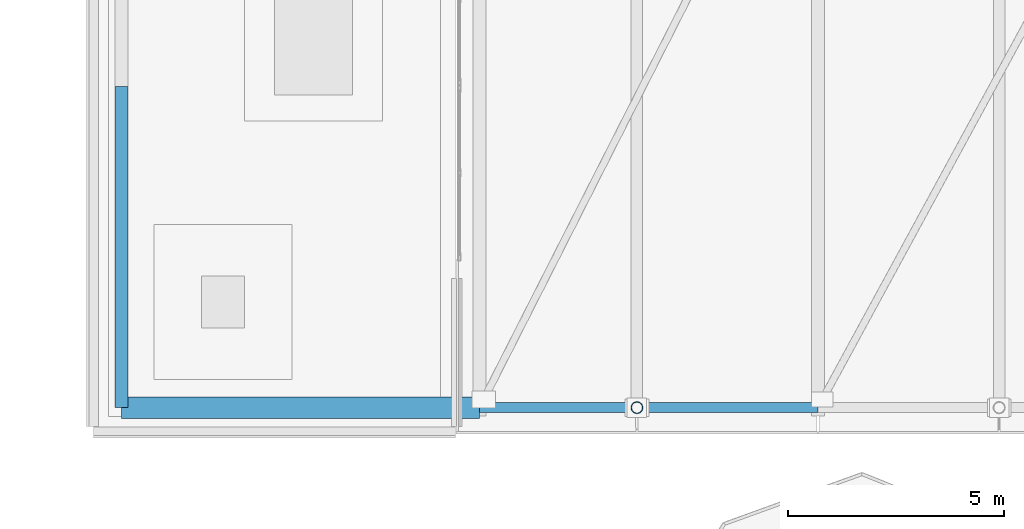
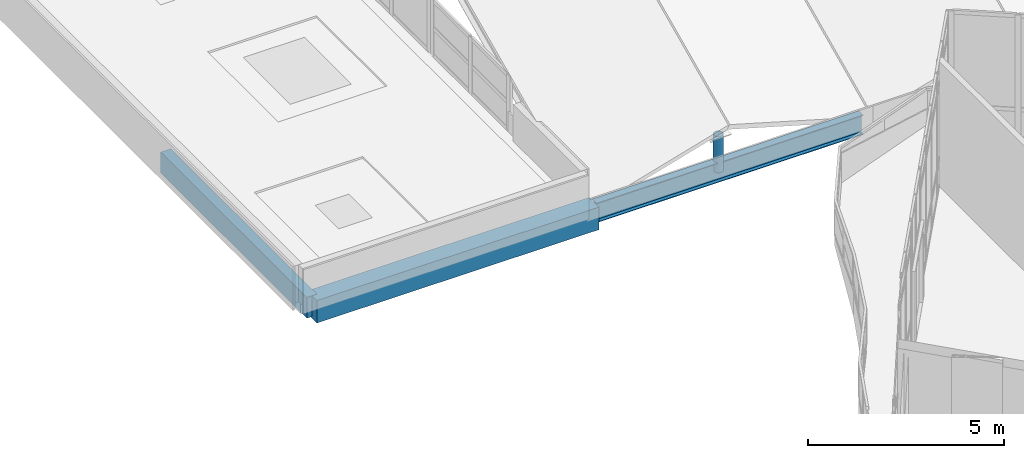
# One storey, part 25 of 184: 3 beams, 1 member.
"""IFC4 building model written with IfcOpenShell, lengths in metres."""

import ifcopenshell
import ifcopenshell.guid

model = None  # the IFC model being written
_history = None  # IfcOwnerHistory: only IFC2X3 demands one
_inside = {}  # id of a spatial element -> (the spatial element, [elements in it])
_under = {}  # id of a project, library or spatial element -> (it, [spatial elements below it])
_declared = {}  # id of a project -> (the project, [libraries it declares])
_typed = {}  # id of a type object -> (the type object, [elements of that type])
_made_of = {}  # id of a material, layer set ... -> (it, [elements and type objects made of it])


def new_model(schema):
    """Start an empty IFC model of exactly this schema.

    Asked for "IFC4X3", IfcOpenShell would pick the latest addendum, in which some entities
    have other attributes; the version numbers below select the first issue.
    IFC2X3 requires an IfcOwnerHistory on every rooted entity: one is made here for all.
    """
    global model, _history
    if schema == "IFC4X3":
        model = ifcopenshell.file(schema_version=(4, 3, 0, 0))
    else:
        model = ifcopenshell.file(schema=schema)
    _inside.clear()
    _under.clear()
    _declared.clear()
    _typed.clear()
    _made_of.clear()
    _history = None
    if model.schema == "IFC2X3":
        org = make("IfcOrganization", Name="unknown")
        user = make(
            "IfcPersonAndOrganization",
            ThePerson=make("IfcPerson", FamilyName="unknown"),
            TheOrganization=org,
        )
        app = make(
            "IfcApplication",
            ApplicationDeveloper=org,
            Version="unknown",
            ApplicationFullName="unknown",
            ApplicationIdentifier="unknown",
        )
        _history = make(
            "IfcOwnerHistory",
            OwningUser=user,
            OwningApplication=app,
            ChangeAction="ADDED",
            CreationDate=0,
        )
    return model


def make(cls, **values):
    """One entity of the class cls with the attributes given. An attribute that is None is left unset."""
    return model.create_entity(
        cls, **{name: value for name, value in values.items() if value is not None}
    )


def rooted(cls, **values):
    """An entity with a GlobalId (a new one), such as an element, a storey or a relation."""
    return make(cls, GlobalId=ifcopenshell.guid.new(), OwnerHistory=_history, **values)


def si_unit(unit_type, name, prefix=None):
    """IfcSIUnit, for example si_unit("LENGTHUNIT", "METRE", prefix="MILLI")."""
    return make("IfcSIUnit", UnitType=unit_type, Prefix=prefix, Name=name)


def assignment(units):
    """IfcUnitAssignment: the units of a project."""
    return None if units is None else make("IfcUnitAssignment", Units=units)


def point(xyz):
    """IfcCartesianPoint."""
    return None if xyz is None else make("IfcCartesianPoint", Coordinates=xyz)


def direction(xyz):
    """IfcDirection."""
    return None if xyz is None else make("IfcDirection", DirectionRatios=xyz)


def frame(location, z_axis=None, x_axis=None):
    """IfcAxis2Placement3D, a coordinate frame: its origin and axes. An axis left out is left unset."""
    return make(
        "IfcAxis2Placement3D",
        Location=point(location),
        Axis=direction(z_axis),
        RefDirection=direction(x_axis),
    )


def frame_2d(location, x_axis=None):
    """IfcAxis2Placement2D, a coordinate frame in the plane: its origin and x axis."""
    return make(
        "IfcAxis2Placement2D", Location=point(location), RefDirection=direction(x_axis)
    )


def origin():
    """The frame at (0, 0, 0) with its axes left unset."""
    return frame((0.0, 0.0, 0.0))


def origin_2d():
    """The frame at (0, 0) in the plane with its x axis left unset."""
    return frame_2d((0.0, 0.0))


def place(relative_to, where):
    """IfcLocalPlacement: puts the frame where relative to a parent placement (None: the world)."""
    return make(
        "IfcLocalPlacement", PlacementRelTo=relative_to, RelativePlacement=where
    )


def context(
    kind, dimensions, precision=None, world=None, true_north=None, identifier=None
):
    """IfcGeometricRepresentationContext, for example the 3D "Model" context."""
    return make(
        "IfcGeometricRepresentationContext",
        ContextIdentifier=identifier,
        ContextType=kind,
        CoordinateSpaceDimension=dimensions,
        Precision=precision,
        WorldCoordinateSystem=world,
        TrueNorth=true_north,
    )


def subcontext(parent, identifier, kind, view, scale=None):
    """IfcGeometricRepresentationSubContext, for example "Body" below "Model"."""
    return make(
        "IfcGeometricRepresentationSubContext",
        ContextIdentifier=identifier,
        ContextType=kind,
        ParentContext=parent,
        TargetScale=scale,
        TargetView=view,
    )


def project(units=None, contexts=None):
    """IfcProject with its units and contexts."""
    return rooted(
        "IfcProject",
        Name="project",
        RepresentationContexts=contexts,
        UnitsInContext=assignment(units),
    )


def spatial(cls, under=None, at=None, **own):
    """A site, building, storey or space (cls), placed at a placement, below another one or the project."""
    s = rooted(cls, ObjectPlacement=at, **own)
    if under is not None:
        _under.setdefault(under.id(), (under, []))[1].append(s)
    return s


def profile(cls, at=None, kind="AREA", **sizes):
    """A parametric profile (cls). Its sizes go by their IFC names, for example OverallWidth=200.0."""
    return make(cls, ProfileType=kind, Position=at, **sizes)


def rectangle(**sizes):
    """IfcRectangleProfileDef."""
    return profile("IfcRectangleProfileDef", **sizes)


def hollow_circle(**sizes):
    """IfcCircleHollowProfileDef."""
    return profile("IfcCircleHollowProfileDef", **sizes)


def i_section(**sizes):
    """IfcIShapeProfileDef."""
    return profile("IfcIShapeProfileDef", **sizes)


def extrude(swept, where, along, depth):
    """IfcExtrudedAreaSolid: the profile swept, set in the frame where, extruded along a direction by depth."""
    return make(
        "IfcExtrudedAreaSolid",
        SweptArea=swept,
        Position=where,
        ExtrudedDirection=direction(along),
        Depth=depth,
    )


def shape(context_of_items, identifier, shape_type, items):
    """IfcShapeRepresentation: the items that make up one representation, for example the "Body"."""
    return make(
        "IfcShapeRepresentation",
        ContextOfItems=context_of_items,
        RepresentationIdentifier=identifier,
        RepresentationType=shape_type,
        Items=items,
    )


def material(Name=None, Category=None):
    """IfcMaterial."""
    return make("IfcMaterial", Name=Name, Category=Category)


def material_profile(
    of_material, cross_section, Name=None, Category=None, Priority=None
):
    """IfcMaterialProfile: a cross section and its material."""
    return make(
        "IfcMaterialProfile",
        Name=Name,
        Material=of_material,
        Profile=cross_section,
        Priority=Priority,
        Category=Category,
    )


def profile_set(profiles, Name=None, composite=None):
    """IfcMaterialProfileSet."""
    return make(
        "IfcMaterialProfileSet",
        Name=Name,
        MaterialProfiles=profiles,
        CompositeProfile=composite,
    )


def made_of(thing, what):
    """Note that an element or type object is made of a material, layer set ...; save() writes the relation."""
    if what is not None:
        _made_of.setdefault(what.id(), (what, []))[1].append(thing)
    return thing


def type_object(cls, material=None, **own):
    """A type object (cls), such as IfcWallType, which elements share."""
    return made_of(rooted(cls, **own), material)


def element(
    cls,
    number,
    at=None,
    inside=None,
    cuts=None,
    type_object=None,
    material=None,
    context=None,
    identifier="Body",
    shape_type=None,
    held_by="IfcProductDefinitionShape",
    body=None,
    shapes=None,
    **own,
):
    """One element of the class cls, such as IfcWall. Its Tag is "e" and its number.

    at: its placement. inside: the storey or other place that contains it. cuts: it is an
    opening in that element (IfcRelVoidsElement). A single representation is given by context,
    identifier, shape_type and body (its items); several are given by shapes. held_by: the class
    of the entity that holds the representations. save() writes the other relations.
    """
    e = rooted(cls, Tag="e%d" % number, ObjectPlacement=at, **own)
    if body is not None:
        shapes = [shape(context, identifier, shape_type, body)]
    if shapes is not None:
        e.Representation = make(held_by, Representations=shapes)
    if inside is not None:
        _inside.setdefault(inside.id(), (inside, []))[1].append(e)
    if cuts is not None:
        rooted(
            "IfcRelVoidsElement", RelatingBuildingElement=cuts, RelatedOpeningElement=e
        )
    if type_object is not None:
        _typed.setdefault(type_object.id(), (type_object, []))[1].append(e)
    return made_of(e, material)


def aggregate(whole, parts):
    """IfcRelAggregates: a whole, such as a stair, and the parts it consists of."""
    return rooted("IfcRelAggregates", RelatingObject=whole, RelatedObjects=parts)


def save(model, path):
    """Write the relations noted so far, then the file.

    IfcRelAggregates (storeys below a building ...), IfcRelContainedInSpatialStructure (elements
    in a storey), IfcRelDefinesByType, IfcRelAssociatesMaterial and IfcRelDeclares: one each for
    every whole, place, type object, material and project.
    """
    for whole, parts in _under.values():
        aggregate(whole, parts)
    for where, things in _inside.values():
        rooted(
            "IfcRelContainedInSpatialStructure",
            RelatedElements=things,
            RelatingStructure=where,
        )
    for kind, things in _typed.values():
        rooted("IfcRelDefinesByType", RelatedObjects=things, RelatingType=kind)
    for what, things in _made_of.values():
        rooted("IfcRelAssociatesMaterial", RelatedObjects=things, RelatingMaterial=what)
    for by, libraries in _declared.values():
        rooted("IfcRelDeclares", RelatingContext=by, RelatedDefinitions=libraries)
    model.write(path)


model = new_model("IFC4")

# Units and contexts
model_context = context("Model", 3, precision=1e-05, world=origin(), true_north=direction((0.0, 1.0)))
body_context = subcontext(model_context, "Body", "Model", "MODEL_VIEW")
ifc_project = project(units=[si_unit("LENGTHUNIT", "METRE"), si_unit("AREAUNIT", "SQUARE_METRE"), si_unit("VOLUMEUNIT", "CUBIC_METRE"), si_unit("PLANEANGLEUNIT", "RADIAN"), si_unit("MASSUNIT", "GRAM", prefix="KILO")], contexts=[model_context])

# Site, building, storey
site_placement = place(None, origin())
site = spatial("IfcSite", under=ifc_project, at=site_placement, CompositionType="ELEMENT")
building_placement = place(site_placement, origin())
building = spatial("IfcBuilding", under=site, at=building_placement, Name="Selatvlak General Hospital", CompositionType="ELEMENT")
storey_placement = place(building_placement, frame((0.0, 0.0, 15.0)))
storey = spatial("IfcBuildingStorey", under=building, at=storey_placement, Name="L03", CompositionType="ELEMENT", Elevation=15.0)

# Beams
ifc_material_1 = material(Name="Concrete C40/50", Category="concrete")
ifc_material_profile_1 = material_profile(ifc_material_1, rectangle(XDim=0.5, YDim=0.699951171875, at=origin_2d()), Name="RC-BM 500x700")
ifc_profile_set_1 = profile_set([ifc_material_profile_1], Name="Concrete C40/50")
beam_type_1 = type_object("IfcBeamType", Name="BM-G03", PredefinedType="BEAM", material=ifc_profile_set_1)
beam_1_placement = place(storey_placement, frame((15.050048828125, 52.550048828125, -0.610107421875), z_axis=(1.0, 0.0, 0.0), x_axis=(0.0, 1.0, 0.0)))
element("IfcBeam", 1, at=beam_1_placement, inside=storey, type_object=beam_type_1, Name="Beam BMR-L03-2909", PredefinedType="BEAM", context=body_context, shape_type="SweptSolid", body=[
    extrude(rectangle(XDim=0.5, YDim=0.699951171875, at=origin_2d()), origin(), (0.0, 0.0, 1.0), 8.300048828125),
])
ifc_material_2 = material(Name="Steel S355", Category="steel")
ifc_material_profile_2 = material_profile(ifc_material_2, i_section(OverallWidth=0.228271484375, OverallDepth=0.607666015625, WebThickness=0.010986328125, FlangeThickness=0.017333984375, at=origin_2d()), Name="UB 610x229x113")
ifc_profile_set_2 = profile_set([ifc_material_profile_2], Name="Steel S355")
beam_type_2 = type_object("IfcBeamType", Name="BM-RF4", PredefinedType="BEAM", material=ifc_profile_set_2)
beam_2_placement = place(storey_placement, frame((23.35009765625, 52.550048828125, -0.529052734375), z_axis=(1.0, 0.0, 0.0), x_axis=(0.0, 1.0, 0.0)))
element("IfcBeam", 2, at=beam_2_placement, inside=storey, type_object=beam_type_2, Name="Folded roof S valley girder 1", PredefinedType="BEAM", context=body_context, shape_type="SweptSolid", body=[
    extrude(i_section(OverallWidth=0.228271484375, OverallDepth=0.607666015625, WebThickness=0.010986328125, FlangeThickness=0.017333984375, at=origin_2d()), origin(), (0.0, 0.0, 1.0), 7.849853515625),
])
ifc_material_profile_3 = material_profile(ifc_material_1, rectangle(XDim=0.300048828125, YDim=0.64990234375, at=origin_2d()), Name="RC-SP 300x650")
ifc_profile_set_3 = profile_set([ifc_material_profile_3], Name="Concrete C40/50")
beam_type_3 = type_object("IfcBeamType", Name="BM-SP1", PredefinedType="SPANDREL", material=ifc_profile_set_3)
beam_3_placement = place(storey_placement, frame((15.050048828125, 52.550048828125, -0.5849609375), z_axis=(0.0, 1.0, 0.0), x_axis=(-1.0, 0.0, 0.0)))
element("IfcBeam", 3, at=beam_3_placement, inside=storey, type_object=beam_type_3, Name="Beam BMR-L03-1291", PredefinedType="SPANDREL", context=body_context, shape_type="SweptSolid", body=[
    extrude(rectangle(XDim=0.300048828125, YDim=0.64990234375, at=origin_2d()), origin(), (0.0, 0.0, 1.0), 7.449951171875),
])

# Member
ifc_material_profile_4 = material_profile(ifc_material_2, hollow_circle(Radius=0.136474609375, WallThickness=0.010009765625, at=origin_2d()), Name="CHS 273.0x10")
ifc_profile_set_4 = profile_set([ifc_material_profile_4], Name="Steel S355")
member_type = type_object("IfcMemberType", Name="MEM-ST1", PredefinedType="STRUT", material=ifc_profile_set_4)
member_placement = place(storey_placement, frame((27.0, 52.550048828125, -0.529052734375), z_axis=(0.0, 0.0, 1.0), x_axis=(1.0, 0.0, 0.0)))
element("IfcMember", 4, at=member_placement, inside=storey, type_object=member_type, Name="Folded roof ridge kingpost S-1", PredefinedType="STRUT", context=body_context, shape_type="SweptSolid", body=[
    extrude(hollow_circle(Radius=0.136474609375, WallThickness=0.010009765625, at=origin_2d()), origin(), (0.0, 0.0, 1.0), 1.123046875),
])

save(model, "model.ifc")
